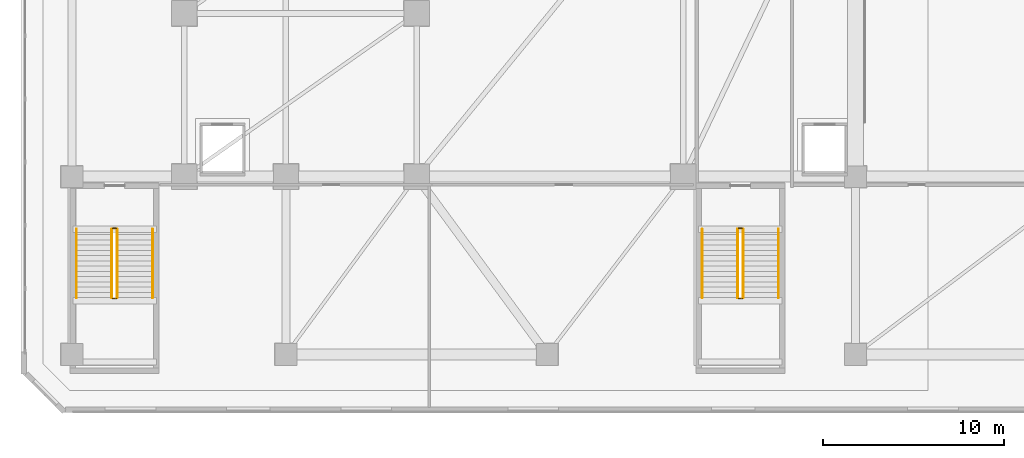
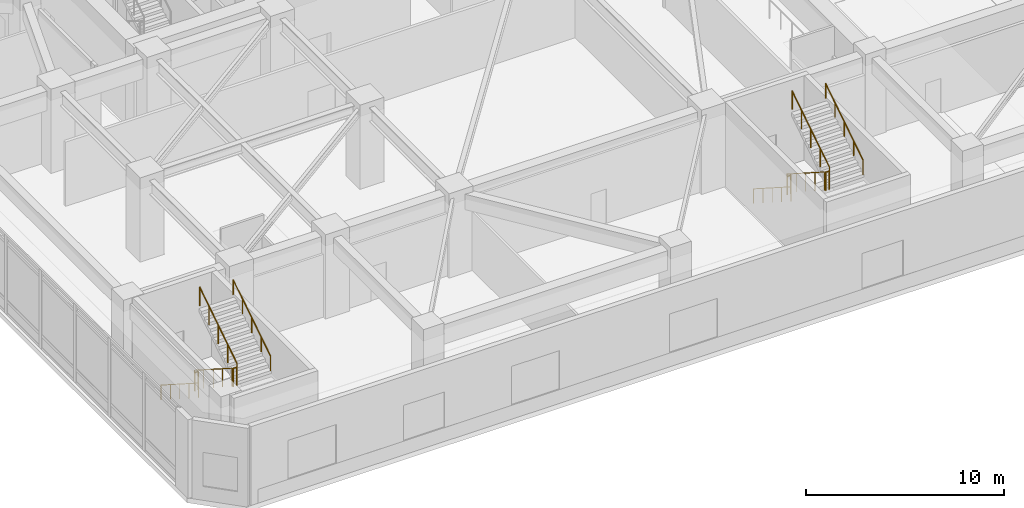
# One storey, part 13 of 15: 12 railings.
"""IFC4 building model written with IfcOpenShell, lengths in metres."""

from ifc_helpers import new_model, si_unit, direction, frame, origin, origin_2d, place, context, subcontext, project, spatial, circle, extrude, material, type_object, element, save


model = new_model("IFC4")

# Units and contexts
model_context = context("Model", 3, precision=1e-05, world=origin(), true_north=direction((0.0, 1.0)))
body_context = subcontext(model_context, "Body", "Model", "MODEL_VIEW")
ifc_project = project(units=[si_unit("LENGTHUNIT", "METRE"), si_unit("AREAUNIT", "SQUARE_METRE"), si_unit("VOLUMEUNIT", "CUBIC_METRE"), si_unit("PLANEANGLEUNIT", "RADIAN"), si_unit("MASSUNIT", "GRAM", prefix="KILO")], contexts=[model_context])

# Site, building, storey
site_placement = place(None, origin())
site = spatial("IfcSite", under=ifc_project, at=site_placement, CompositionType="ELEMENT")
building_placement = place(site_placement, origin())
building = spatial("IfcBuilding", under=site, at=building_placement, Name="Calvemar Wedge Station Tower", CompositionType="ELEMENT")
storey_placement = place(building_placement, frame((0.0, 0.0, 16.39990234375)))
storey = spatial("IfcBuildingStorey", under=building, at=storey_placement, Name="L04", CompositionType="ELEMENT", Elevation=16.39990234375)

# Railings
ifc_material_1 = material(Name="Stainless steel AISI 316L", Category="steel")
railing_type_1 = type_object("IfcRailingType", Name="RL-HANDRAIL-920", PredefinedType="HANDRAIL", material=ifc_material_1)
railing_1_placement = place(storey_placement, frame((5.050048828125, 12.10009765625, 0.185791015625)))
element("IfcRailing", 1, at=railing_1_placement, inside=storey, type_object=railing_type_1, Name="L04 ST-P1 stair handrail 1", PredefinedType="HANDRAIL", context=body_context, shape_type="SweptSolid", body=[
    extrude(circle(Radius=0.02392578125, at=origin_2d()), frame((0.0, 0.0, 0.89599609375), z_axis=(0.0, -0.84211983486, 0.539290444692), x_axis=(1.0, 0.0, 0.0)), (0.0, 0.0, 1.0), 4.476806640625),
    extrude(circle(Radius=0.02099609375, at=origin_2d()), origin(), (0.0, 0.0, 1.0), 0.871826171875),
    extrude(circle(Radius=0.02099609375, at=origin_2d()), frame((0.0, -0.9423828125, 0.603515625)), (0.0, 0.0, 1.0), 0.871826171875),
    extrude(circle(Radius=0.02099609375, at=origin_2d()), frame((0.0, -1.885009765625, 1.20703125)), (0.0, 0.0, 1.0), 0.871826171875),
    extrude(circle(Radius=0.02099609375, at=origin_2d()), frame((0.0, -2.82763671875, 1.810791015625)), (0.0, 0.0, 1.0), 0.871826171875),
    extrude(circle(Radius=0.02099609375, at=origin_2d()), frame((0.0, -3.77001953125, 2.414306640625)), (0.0, 0.0, 1.0), 0.871826171875),
])
railing_2_placement = place(storey_placement, frame((9.25, 8.330078125, 2.785888671875)))
element("IfcRailing", 2, at=railing_2_placement, inside=storey, type_object=railing_type_1, Name="L04 ST-P1 stair handrail 2", PredefinedType="HANDRAIL", context=body_context, shape_type="SweptSolid", body=[
    extrude(circle(Radius=0.02392578125, at=origin_2d()), frame((0.0, 0.0, 0.89599609375), z_axis=(0.0, 0.84211983486, 0.539290444692), x_axis=(-1.0, 0.0, 0.0)), (0.0, 0.0, 1.0), 4.476806640625),
    extrude(circle(Radius=0.02099609375, at=origin_2d()), origin(), (0.0, 0.0, 1.0), 0.871826171875),
    extrude(circle(Radius=0.02099609375, at=origin_2d()), frame((0.0, 0.9423828125, 0.603515625)), (0.0, 0.0, 1.0), 0.871826171875),
    extrude(circle(Radius=0.02099609375, at=origin_2d()), frame((0.0, 1.885009765625, 1.20703125)), (0.0, 0.0, 1.0), 0.871826171875),
    extrude(circle(Radius=0.02099609375, at=origin_2d()), frame((0.0, 2.82763671875, 1.810791015625)), (0.0, 0.0, 1.0), 0.871826171875),
    extrude(circle(Radius=0.02099609375, at=origin_2d()), frame((0.0, 3.77001953125, 2.414306640625)), (0.0, 0.0, 1.0), 0.871826171875),
])
railing_3_placement = place(storey_placement, frame((39.550048828125, 12.10009765625, 0.185791015625)))
element("IfcRailing", 3, at=railing_3_placement, inside=storey, type_object=railing_type_1, Name="L04 ST-P2 stair handrail 1", PredefinedType="HANDRAIL", context=body_context, shape_type="SweptSolid", body=[
    extrude(circle(Radius=0.02392578125, at=origin_2d()), frame((0.0, 0.0, 0.89599609375), z_axis=(0.0, -0.84211983486, 0.539290444692), x_axis=(1.0, 0.0, 0.0)), (0.0, 0.0, 1.0), 4.476806640625),
    extrude(circle(Radius=0.02099609375, at=origin_2d()), origin(), (0.0, 0.0, 1.0), 0.871826171875),
    extrude(circle(Radius=0.02099609375, at=origin_2d()), frame((0.0, -0.9423828125, 0.603515625)), (0.0, 0.0, 1.0), 0.871826171875),
    extrude(circle(Radius=0.02099609375, at=origin_2d()), frame((0.0, -1.885009765625, 1.20703125)), (0.0, 0.0, 1.0), 0.871826171875),
    extrude(circle(Radius=0.02099609375, at=origin_2d()), frame((0.0, -2.82763671875, 1.810791015625)), (0.0, 0.0, 1.0), 0.871826171875),
    extrude(circle(Radius=0.02099609375, at=origin_2d()), frame((0.0, -3.77001953125, 2.414306640625)), (0.0, 0.0, 1.0), 0.871826171875),
])
railing_4_placement = place(storey_placement, frame((43.75, 8.330078125, 2.785888671875)))
element("IfcRailing", 4, at=railing_4_placement, inside=storey, type_object=railing_type_1, Name="L04 ST-P2 stair handrail 2", PredefinedType="HANDRAIL", context=body_context, shape_type="SweptSolid", body=[
    extrude(circle(Radius=0.02392578125, at=origin_2d()), frame((0.0, 0.0, 0.89599609375), z_axis=(0.0, 0.84211983486, 0.539290444692), x_axis=(-1.0, 0.0, 0.0)), (0.0, 0.0, 1.0), 4.476806640625),
    extrude(circle(Radius=0.02099609375, at=origin_2d()), origin(), (0.0, 0.0, 1.0), 0.871826171875),
    extrude(circle(Radius=0.02099609375, at=origin_2d()), frame((0.0, 0.9423828125, 0.603515625)), (0.0, 0.0, 1.0), 0.871826171875),
    extrude(circle(Radius=0.02099609375, at=origin_2d()), frame((0.0, 1.885009765625, 1.20703125)), (0.0, 0.0, 1.0), 0.871826171875),
    extrude(circle(Radius=0.02099609375, at=origin_2d()), frame((0.0, 2.82763671875, 1.810791015625)), (0.0, 0.0, 1.0), 0.871826171875),
    extrude(circle(Radius=0.02099609375, at=origin_2d()), frame((0.0, 3.77001953125, 2.414306640625)), (0.0, 0.0, 1.0), 0.871826171875),
])
ifc_material_2 = material(Name="Painted steel guardrail ASTM A500 Grade C", Category="steel")
railing_type_2 = type_object("IfcRailingType", Name="RL-STAIR-GUARD-1150", PredefinedType="GUARDRAIL", material=ifc_material_2)
railing_5_placement = place(storey_placement, frame((7.0, 12.10009765625, 0.185791015625)))
element("IfcRailing", 5, at=railing_5_placement, inside=storey, type_object=railing_type_2, Name="L04 ST-P1 stair guard 1", PredefinedType="GUARDRAIL", context=body_context, shape_type="SweptSolid", body=[
    extrude(circle(Radius=0.02392578125, at=origin_2d()), frame((0.0, 0.0, 1.1259765625), z_axis=(0.0, -0.84211983486, 0.539290444692), x_axis=(1.0, 0.0, 0.0)), (0.0, 0.0, 1.0), 4.476806640625),
    extrude(circle(Radius=0.02099609375, at=origin_2d()), origin(), (0.0, 0.0, 1.0), 1.101806640625),
    extrude(circle(Radius=0.02099609375, at=origin_2d()), frame((0.0, -0.9423828125, 0.603515625)), (0.0, 0.0, 1.0), 1.101806640625),
    extrude(circle(Radius=0.02099609375, at=origin_2d()), frame((0.0, -1.885009765625, 1.20703125)), (0.0, 0.0, 1.0), 1.101806640625),
    extrude(circle(Radius=0.02099609375, at=origin_2d()), frame((0.0, -2.82763671875, 1.810791015625)), (0.0, 0.0, 1.0), 1.101806640625),
    extrude(circle(Radius=0.02099609375, at=origin_2d()), frame((0.0, -3.77001953125, 2.414306640625)), (0.0, 0.0, 1.0), 1.101806640625),
])
railing_6_placement = place(storey_placement, frame((7.050048828125, 8.280029296875, 2.60009765625)))
element("IfcRailing", 6, at=railing_6_placement, inside=storey, type_object=railing_type_2, Name="L04 ST-P1 stair guard 2", PredefinedType="GUARDRAIL", context=body_context, shape_type="SweptSolid", body=[
    extrude(circle(Radius=0.02392578125, at=origin_2d()), frame((0.0, 0.0, 1.1259765625), z_axis=(1.0, 0.0, 0.0), x_axis=(0.0, 1.0, 0.0)), (0.0, 0.0, 1.0), 0.199951171875),
    extrude(circle(Radius=0.02099609375, at=origin_2d()), origin(), (0.0, 0.0, 1.0), 1.101806640625),
    extrude(circle(Radius=0.02099609375, at=origin_2d()), frame((0.199951171875, 0.0, 0.0)), (0.0, 0.0, 1.0), 1.101806640625),
])
railing_7_placement = place(storey_placement, frame((7.300048828125, 8.330078125, 2.785888671875)))
element("IfcRailing", 7, at=railing_7_placement, inside=storey, type_object=railing_type_2, Name="L04 ST-P1 stair guard 3", PredefinedType="GUARDRAIL", context=body_context, shape_type="SweptSolid", body=[
    extrude(circle(Radius=0.02392578125, at=origin_2d()), frame((0.0, 0.0, 1.1259765625), z_axis=(0.0, 0.84211983486, 0.539290444692), x_axis=(-1.0, 0.0, 0.0)), (0.0, 0.0, 1.0), 4.476806640625),
    extrude(circle(Radius=0.02099609375, at=origin_2d()), origin(), (0.0, 0.0, 1.0), 1.101806640625),
    extrude(circle(Radius=0.02099609375, at=origin_2d()), frame((0.0, 0.9423828125, 0.603515625)), (0.0, 0.0, 1.0), 1.101806640625),
    extrude(circle(Radius=0.02099609375, at=origin_2d()), frame((0.0, 1.885009765625, 1.20703125)), (0.0, 0.0, 1.0), 1.101806640625),
    extrude(circle(Radius=0.02099609375, at=origin_2d()), frame((0.0, 2.82763671875, 1.810791015625)), (0.0, 0.0, 1.0), 1.101806640625),
    extrude(circle(Radius=0.02099609375, at=origin_2d()), frame((0.0, 3.77001953125, 2.414306640625)), (0.0, 0.0, 1.0), 1.101806640625),
])
railing_8_placement = place(storey_placement, frame((7.050048828125, 12.14990234375, 0.0)))
element("IfcRailing", 8, at=railing_8_placement, inside=storey, type_object=railing_type_2, Name="L04 ST-P1 stair guard 4", PredefinedType="GUARDRAIL", context=body_context, shape_type="SweptSolid", body=[
    extrude(circle(Radius=0.02392578125, at=origin_2d()), frame((0.0, 0.0, 1.1259765625), z_axis=(1.0, 0.0, 0.0), x_axis=(0.0, 1.0, 0.0)), (0.0, 0.0, 1.0), 0.199951171875),
    extrude(circle(Radius=0.02099609375, at=origin_2d()), origin(), (0.0, 0.0, 1.0), 1.101806640625),
    extrude(circle(Radius=0.02099609375, at=origin_2d()), frame((0.199951171875, 0.0, 0.0)), (0.0, 0.0, 1.0), 1.101806640625),
])
railing_9_placement = place(storey_placement, frame((41.5, 12.10009765625, 0.185791015625)))
element("IfcRailing", 9, at=railing_9_placement, inside=storey, type_object=railing_type_2, Name="L04 ST-P2 stair guard 1", PredefinedType="GUARDRAIL", context=body_context, shape_type="SweptSolid", body=[
    extrude(circle(Radius=0.02392578125, at=origin_2d()), frame((0.0, 0.0, 1.1259765625), z_axis=(0.0, -0.84211983486, 0.539290444692), x_axis=(1.0, 0.0, 0.0)), (0.0, 0.0, 1.0), 4.476806640625),
    extrude(circle(Radius=0.02099609375, at=origin_2d()), origin(), (0.0, 0.0, 1.0), 1.101806640625),
    extrude(circle(Radius=0.02099609375, at=origin_2d()), frame((0.0, -0.9423828125, 0.603515625)), (0.0, 0.0, 1.0), 1.101806640625),
    extrude(circle(Radius=0.02099609375, at=origin_2d()), frame((0.0, -1.885009765625, 1.20703125)), (0.0, 0.0, 1.0), 1.101806640625),
    extrude(circle(Radius=0.02099609375, at=origin_2d()), frame((0.0, -2.82763671875, 1.810791015625)), (0.0, 0.0, 1.0), 1.101806640625),
    extrude(circle(Radius=0.02099609375, at=origin_2d()), frame((0.0, -3.77001953125, 2.414306640625)), (0.0, 0.0, 1.0), 1.101806640625),
])
railing_10_placement = place(storey_placement, frame((41.550048828125, 8.280029296875, 2.60009765625)))
element("IfcRailing", 10, at=railing_10_placement, inside=storey, type_object=railing_type_2, Name="L04 ST-P2 stair guard 2", PredefinedType="GUARDRAIL", context=body_context, shape_type="SweptSolid", body=[
    extrude(circle(Radius=0.02392578125, at=origin_2d()), frame((0.0, 0.0, 1.1259765625), z_axis=(1.0, 0.0, 0.0), x_axis=(0.0, 1.0, 0.0)), (0.0, 0.0, 1.0), 0.199951171875),
    extrude(circle(Radius=0.02099609375, at=origin_2d()), origin(), (0.0, 0.0, 1.0), 1.101806640625),
    extrude(circle(Radius=0.02099609375, at=origin_2d()), frame((0.199951171875, 0.0, 0.0)), (0.0, 0.0, 1.0), 1.101806640625),
])
railing_11_placement = place(storey_placement, frame((41.800048828125, 8.330078125, 2.785888671875)))
element("IfcRailing", 11, at=railing_11_placement, inside=storey, type_object=railing_type_2, Name="L04 ST-P2 stair guard 3", PredefinedType="GUARDRAIL", context=body_context, shape_type="SweptSolid", body=[
    extrude(circle(Radius=0.02392578125, at=origin_2d()), frame((0.0, 0.0, 1.1259765625), z_axis=(0.0, 0.84211983486, 0.539290444692), x_axis=(-1.0, 0.0, 0.0)), (0.0, 0.0, 1.0), 4.476806640625),
    extrude(circle(Radius=0.02099609375, at=origin_2d()), origin(), (0.0, 0.0, 1.0), 1.101806640625),
    extrude(circle(Radius=0.02099609375, at=origin_2d()), frame((0.0, 0.9423828125, 0.603515625)), (0.0, 0.0, 1.0), 1.101806640625),
    extrude(circle(Radius=0.02099609375, at=origin_2d()), frame((0.0, 1.885009765625, 1.20703125)), (0.0, 0.0, 1.0), 1.101806640625),
    extrude(circle(Radius=0.02099609375, at=origin_2d()), frame((0.0, 2.82763671875, 1.810791015625)), (0.0, 0.0, 1.0), 1.101806640625),
    extrude(circle(Radius=0.02099609375, at=origin_2d()), frame((0.0, 3.77001953125, 2.414306640625)), (0.0, 0.0, 1.0), 1.101806640625),
])
railing_12_placement = place(storey_placement, frame((41.550048828125, 12.14990234375, 0.0)))
element("IfcRailing", 12, at=railing_12_placement, inside=storey, type_object=railing_type_2, Name="L04 ST-P2 stair guard 4", PredefinedType="GUARDRAIL", context=body_context, shape_type="SweptSolid", body=[
    extrude(circle(Radius=0.02392578125, at=origin_2d()), frame((0.0, 0.0, 1.1259765625), z_axis=(1.0, 0.0, 0.0), x_axis=(0.0, 1.0, 0.0)), (0.0, 0.0, 1.0), 0.199951171875),
    extrude(circle(Radius=0.02099609375, at=origin_2d()), origin(), (0.0, 0.0, 1.0), 1.101806640625),
    extrude(circle(Radius=0.02099609375, at=origin_2d()), frame((0.199951171875, 0.0, 0.0)), (0.0, 0.0, 1.0), 1.101806640625),
])

save(model, "model.ifc")
